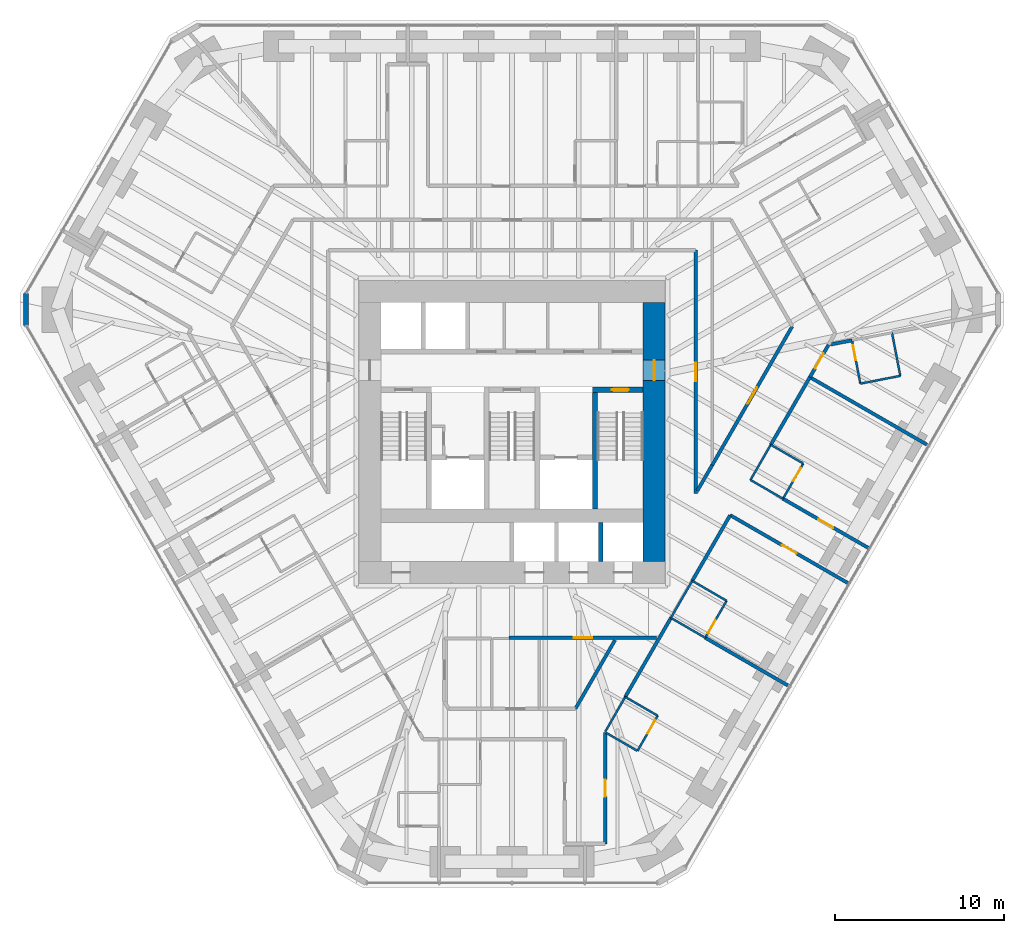
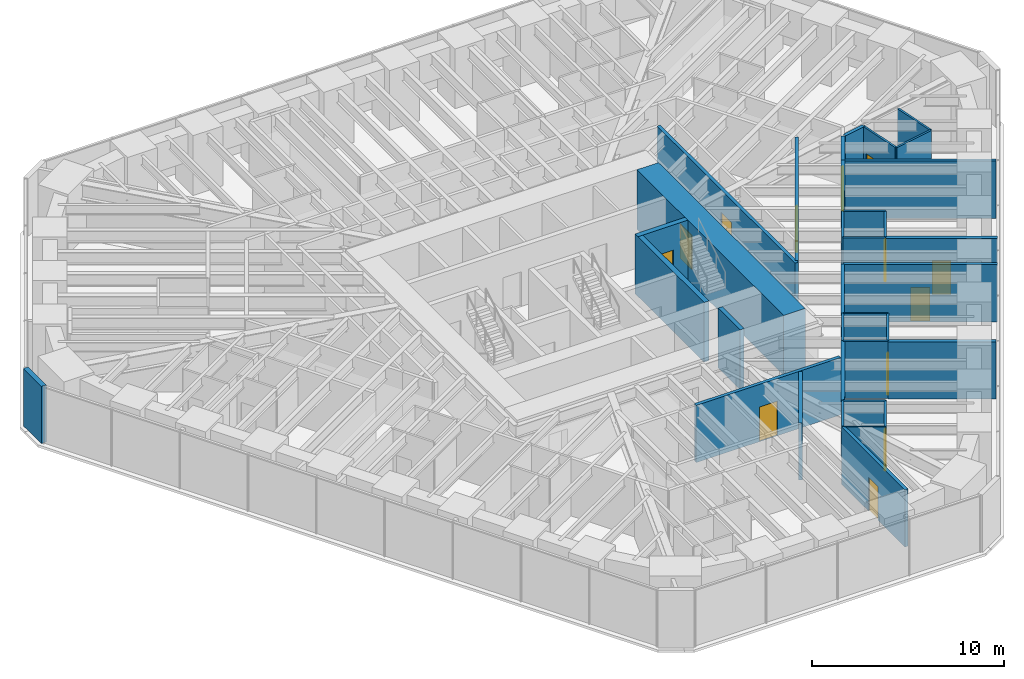
# One storey, part 13 of 17: 35 walls, 13 doors, 13 openings.
"""IFC4 building model written with IfcOpenShell, lengths in metres."""

from ifc_helpers import new_model, si_unit, direction, frame, frame_2d, origin, place, context, subcontext, project, spatial, rectangle, extrude, material, layer, layer_set, type_object, element, fill, save


model = new_model("IFC4")

# Units and contexts
model_context = context("Model", 3, precision=1e-05, world=origin(), true_north=direction((0.0, 1.0)))
body_context = subcontext(model_context, "Body", "Model", "MODEL_VIEW")
ifc_project = project(units=[si_unit("LENGTHUNIT", "METRE"), si_unit("AREAUNIT", "SQUARE_METRE"), si_unit("VOLUMEUNIT", "CUBIC_METRE"), si_unit("PLANEANGLEUNIT", "RADIAN"), si_unit("MASSUNIT", "GRAM", prefix="KILO")], contexts=[model_context])

# Site, building, storey
site_placement = place(None, origin())
site = spatial("IfcSite", under=ifc_project, at=site_placement, CompositionType="ELEMENT")
building_placement = place(site_placement, origin())
building = spatial("IfcBuilding", under=site, at=building_placement, Name="Sandreach Pilgrim Tower", CompositionType="ELEMENT")
storey_placement = place(building_placement, frame((0.0, 0.0, 112.0)))
storey = spatial("IfcBuildingStorey", under=building, at=storey_placement, Name="L27", CompositionType="ELEMENT", Elevation=112.0)

# Walls
ifc_material_1 = material(Name="Moisture-resistant gypsum board on steel studs", Category="steel")
ifc_layer_1 = layer(ifc_material_1, 0.1201171875)
ifc_layer_set_1 = layer_set([ifc_layer_1], Name="Bathroom partition 120")
wall_type_1 = type_object("IfcWallType", Name="Bathroom partition 120", PredefinedType="PARTITIONING", material=ifc_layer_set_1)
wall_1_placement = place(storey_placement, frame((5.510009765625, -19.25, 0.0), z_axis=(0.0, 0.0, 1.0), x_axis=(0.498837591974, 0.866695481028, 0.0)))
element("IfcWall", 1, at=wall_1_placement, inside=storey, type_object=wall_type_1, Name="Bathroom partition L27-095", PredefinedType="PARTITIONING", context=body_context, shape_type="SweptSolid", body=[
    extrude(rectangle(XDim=2.365478515625, YDim=0.1201171875, at=frame_2d((1.1826171875, 0.0))), origin(), (0.0, 0.0, 1.0), 3.639892578125),
])
wall_2_placement = place(storey_placement, frame((5.566162109375, -19.322509765625, 0.0), z_axis=(0.0, 0.0, 1.0), x_axis=(0.865436746432, -0.501018201192, 0.0)))
element("IfcWall", 2, at=wall_2_placement, inside=storey, type_object=wall_type_1, Name="Bathroom partition L27-096", PredefinedType="PARTITIONING", context=body_context, shape_type="SweptSolid", body=[
    extrude(rectangle(XDim=2.13037109375, YDim=0.1201171875, at=frame_2d((1.065185546875, 0.0))), origin(), (0.0, 0.0, 1.0), 3.639892578125),
])

# Wall, opening, door
wall_3_placement = place(storey_placement, frame((7.409912109375, -20.389892578125, 0.0), z_axis=(0.0, 0.0, 1.0), x_axis=(0.499737123639, 0.866177122335, 0.0)))
wall_3 = element("IfcWall", 3, at=wall_3_placement, inside=storey, type_object=wall_type_1, Name="Bathroom partition L27-106", PredefinedType="PARTITIONING", context=body_context, shape_type="SweptSolid", body=[
    extrude(rectangle(XDim=2.401123046875, YDim=0.1201171875, at=frame_2d((1.20068359375, 0.0))), origin(), (0.0, 0.0, 1.0), 3.639892578125),
])
opening_1_placement = place(wall_3_placement, frame((1.201416015625, 0.0, 0.0)))
opening_1 = element("IfcOpeningElement", 4, at=opening_1_placement, cuts=wall_3, Name="Opening D09-09B", PredefinedType="OPENING", context=body_context, shape_type="SweptSolid", body=[
    extrude(rectangle(XDim=0.89990234375, YDim=2.030029296875, at=frame_2d((0.449951171875, 1.01513671875))), frame((0.0, 0.06005859375, 0.0), z_axis=(0.0, -1.0, 0.0), x_axis=(1.0, 0.0, 0.0)), (0.0, 0.0, 1.0), 0.1201171875),
])
ifc_material_2 = material(Name="Timber door, steel frame", Category="steel")
door_type_1 = type_object("IfcDoorType", Name="Bathroom door", OperationType="SINGLE_SWING_LEFT", PredefinedType="DOOR", material=ifc_material_2)
door_1_placement = place(opening_1_placement, origin())
door_1 = element("IfcDoor", 5, at=door_1_placement, inside=storey, type_object=door_type_1, Name="Door 2709B", OperationType="SINGLE_SWING_RIGHT", OverallHeight=2.030029296875, OverallWidth=0.89990234375, PredefinedType="DOOR", context=body_context, shape_type="SweptSolid", body=[
    extrude(rectangle(XDim=0.89990234375, YDim=2.030029296875, at=frame_2d((0.449951171875, 1.01513671875))), frame((0.0, 0.02490234375, 0.0), z_axis=(0.0, -1.0, 0.0), x_axis=(1.0, 0.0, 0.0)), (0.0, 0.0, 1.0), 0.050048828125),
])
fill(opening_1, door_1)

# Walls
wall_4_placement = place(storey_placement, frame((8.610107421875, -18.31005859375, 0.0), z_axis=(0.0, 0.0, 1.0), x_axis=(-0.865732595383, 0.500506816428, 0.0)))
element("IfcWall", 6, at=wall_4_placement, inside=storey, type_object=wall_type_1, Name="Bathroom partition L27-110", PredefinedType="PARTITIONING", context=body_context, shape_type="SweptSolid", body=[
    extrude(rectangle(XDim=2.218017578125, YDim=0.1201171875, at=frame_2d((1.10888671875, 0.0))), origin(), (0.0, 0.0, 1.0), 3.639892578125),
])
wall_5_placement = place(storey_placement, frame((9.38720703125, -12.5283203125, 0.0), z_axis=(0.0, 0.0, 1.0), x_axis=(0.499797743474, 0.866142145158, 0.0)))
element("IfcWall", 7, at=wall_5_placement, inside=storey, type_object=wall_type_1, Name="Bathroom partition L27-111", PredefinedType="PARTITIONING", context=body_context, shape_type="SweptSolid", body=[
    extrude(rectangle(XDim=2.5263671875, YDim=0.1201171875, at=frame_2d((1.26318359375, 0.0))), origin(), (0.0, 0.0, 1.0), 3.639892578125),
])
wall_6_placement = place(storey_placement, frame((9.389892578125, -12.530029296875, 0.0), z_axis=(0.0, 0.0, 1.0), x_axis=(0.865459574701, -0.500978766574, 0.0)))
element("IfcWall", 8, at=wall_6_placement, inside=storey, type_object=wall_type_1, Name="Bathroom partition L27-112", PredefinedType="PARTITIONING", context=body_context, shape_type="SweptSolid", body=[
    extrude(rectangle(XDim=2.343017578125, YDim=0.1201171875, at=frame_2d((1.17138671875, 0.0))), origin(), (0.0, 0.0, 1.0), 3.639892578125),
])

# Wall, opening, door
wall_7_placement = place(storey_placement, frame((11.419921875, -13.699951171875, 0.0), z_axis=(0.0, 0.0, 1.0), x_axis=(0.500424596343, 0.865780124151, 0.0)))
wall_7 = element("IfcWall", 9, at=wall_7_placement, inside=storey, type_object=wall_type_1, Name="Bathroom partition L27-123", PredefinedType="PARTITIONING", context=body_context, shape_type="SweptSolid", body=[
    extrude(rectangle(XDim=2.517822265625, YDim=0.1201171875, at=frame_2d((1.2587890625, 0.0))), origin(), (0.0, 0.0, 1.0), 3.639892578125),
])
opening_2_placement = place(wall_7_placement, frame((0.300048828125, 0.0, 0.0)))
opening_2 = element("IfcOpeningElement", 10, at=opening_2_placement, cuts=wall_7, Name="Opening D09-08B", PredefinedType="OPENING", context=body_context, shape_type="SweptSolid", body=[
    extrude(rectangle(XDim=0.89990234375, YDim=2.030029296875, at=frame_2d((0.449951171875, 1.01513671875))), frame((0.0, 0.06005859375, 0.0), z_axis=(0.0, -1.0, 0.0), x_axis=(1.0, 0.0, 0.0)), (0.0, 0.0, 1.0), 0.1201171875),
])
door_2_placement = place(opening_2_placement, origin())
door_2 = element("IfcDoor", 11, at=door_2_placement, inside=storey, type_object=door_type_1, Name="Door 2708B", OperationType="SINGLE_SWING_LEFT", OverallHeight=2.030029296875, OverallWidth=0.89990234375, PredefinedType="DOOR", context=body_context, shape_type="SweptSolid", body=[
    extrude(rectangle(XDim=0.89990234375, YDim=2.030029296875, at=frame_2d((0.449951171875, 1.01513671875))), frame((0.0, 0.02490234375, 0.0), z_axis=(0.0, -1.0, 0.0), x_axis=(1.0, 0.0, 0.0)), (0.0, 0.0, 1.0), 0.050048828125),
])
fill(opening_2, door_2)

# Walls
wall_8_placement = place(storey_placement, frame((12.679931640625, -11.52001953125, 0.0), z_axis=(0.0, 0.0, 1.0), x_axis=(-0.864539759309, 0.502564428282, 0.0)))
element("IfcWall", 12, at=wall_8_placement, inside=storey, type_object=wall_type_1, Name="Bathroom partition L27-127", PredefinedType="PARTITIONING", context=body_context, shape_type="SweptSolid", body=[
    extrude(rectangle(XDim=2.347900390625, YDim=0.1201171875, at=frame_2d((1.173828125, 0.0))), origin(), (0.0, 0.0, 1.0), 3.639892578125),
])
wall_9_placement = place(storey_placement, frame((14.090087890625, -4.3798828125, 0.0), z_axis=(0.0, 0.0, 1.0), x_axis=(0.499737123639, 0.866177122335, 0.0)))
element("IfcWall", 13, at=wall_9_placement, inside=storey, type_object=wall_type_1, Name="Bathroom partition L27-134", PredefinedType="PARTITIONING", context=body_context, shape_type="SweptSolid", body=[
    extrude(rectangle(XDim=2.401123046875, YDim=0.1201171875, at=frame_2d((1.20068359375, 0.0))), origin(), (0.0, 0.0, 1.0), 3.639892578125),
])
wall_10_placement = place(storey_placement, frame((14.090087890625, -4.3798828125, 0.0), z_axis=(0.0, 0.0, 1.0), x_axis=(0.865705017107, -0.500554515868, 0.0)))
element("IfcWall", 14, at=wall_10_placement, inside=storey, type_object=wall_type_1, Name="Bathroom partition L27-135", PredefinedType="PARTITIONING", context=body_context, shape_type="SweptSolid", body=[
    extrude(rectangle(XDim=2.2177734375, YDim=0.1201171875, at=frame_2d((1.10888671875, 0.0))), origin(), (0.0, 0.0, 1.0), 3.639892578125),
])

# Wall, opening, door
wall_11_placement = place(storey_placement, frame((16.010009765625, -5.489990234375, 0.0), z_axis=(0.0, 0.0, 1.0), x_axis=(0.499693115345, 0.866202511239, 0.0)))
wall_11 = element("IfcWall", 15, at=wall_11_placement, inside=storey, type_object=wall_type_1, Name="Bathroom partition L27-141", PredefinedType="PARTITIONING", context=body_context, shape_type="SweptSolid", body=[
    extrude(rectangle(XDim=2.4013671875, YDim=0.1201171875, at=frame_2d((1.20068359375, 0.0))), origin(), (0.0, 0.0, 1.0), 3.639892578125),
])
opening_3_placement = place(wall_11_placement, frame((1.201416015625, 0.0, 0.0)))
opening_3 = element("IfcOpeningElement", 16, at=opening_3_placement, cuts=wall_11, Name="Opening D09-07B", PredefinedType="OPENING", context=body_context, shape_type="SweptSolid", body=[
    extrude(rectangle(XDim=0.89990234375, YDim=2.030029296875, at=frame_2d((0.449951171875, 1.01513671875))), frame((0.0, 0.06005859375, 0.0), z_axis=(0.0, -1.0, 0.0), x_axis=(1.0, 0.0, 0.0)), (0.0, 0.0, 1.0), 0.1201171875),
])
door_3_placement = place(opening_3_placement, origin())
door_3 = element("IfcDoor", 17, at=door_3_placement, inside=storey, type_object=door_type_1, Name="Door 2707B", OperationType="SINGLE_SWING_RIGHT", OverallHeight=2.030029296875, OverallWidth=0.89990234375, PredefinedType="DOOR", context=body_context, shape_type="SweptSolid", body=[
    extrude(rectangle(XDim=0.89990234375, YDim=2.030029296875, at=frame_2d((0.449951171875, 1.01513671875))), frame((0.0, 0.02490234375, 0.0), z_axis=(0.0, -1.0, 0.0), x_axis=(1.0, 0.0, 0.0)), (0.0, 0.0, 1.0), 0.050048828125),
])
fill(opening_3, door_3)

# Wall
wall_12_placement = place(storey_placement, frame((17.2099609375, -3.409912109375, 0.0), z_axis=(0.0, 0.0, 1.0), x_axis=(-0.86575271903, 0.500472006703, 0.0)))
element("IfcWall", 18, at=wall_12_placement, inside=storey, type_object=wall_type_1, Name="Bathroom partition L27-145", PredefinedType="PARTITIONING", context=body_context, shape_type="SweptSolid", body=[
    extrude(rectangle(XDim=2.217529296875, YDim=0.1201171875, at=frame_2d((1.10888671875, 0.0))), origin(), (0.0, 0.0, 1.0), 3.639892578125),
])

# Wall, opening, door
wall_13_placement = place(storey_placement, frame((20.090087890625, 3.8701171875, 0.0), z_axis=(0.0, 0.0, 1.0), x_axis=(0.187985762814, -0.982171753299, 0.0)))
wall_13 = element("IfcWall", 19, at=wall_13_placement, inside=storey, type_object=wall_type_1, Name="Bathroom partition L27-152", PredefinedType="PARTITIONING", context=body_context, shape_type="SweptSolid", body=[
    extrude(rectangle(XDim=2.6064453125, YDim=0.1201171875, at=frame_2d((1.30322265625, 0.0))), origin(), (0.0, 0.0, 1.0), 3.639892578125),
])
opening_4_placement = place(wall_13_placement, frame((0.300048828125, 0.0, 0.0)))
opening_4 = element("IfcOpeningElement", 20, at=opening_4_placement, cuts=wall_13, Name="Opening D09-06B", PredefinedType="OPENING", context=body_context, shape_type="SweptSolid", body=[
    extrude(rectangle(XDim=0.89990234375, YDim=2.030029296875, at=frame_2d((0.449951171875, 1.01513671875))), frame((0.0, 0.06005859375, 0.0), z_axis=(0.0, -1.0, 0.0), x_axis=(1.0, 0.0, 0.0)), (0.0, 0.0, 1.0), 0.1201171875),
])
door_4_placement = place(opening_4_placement, origin())
door_4 = element("IfcDoor", 21, at=door_4_placement, inside=storey, type_object=door_type_1, Name="Door 2706B", OperationType="SINGLE_SWING_LEFT", OverallHeight=2.030029296875, OverallWidth=0.89990234375, PredefinedType="DOOR", context=body_context, shape_type="SweptSolid", body=[
    extrude(rectangle(XDim=0.89990234375, YDim=2.030029296875, at=frame_2d((0.449951171875, 1.01513671875))), frame((0.0, 0.02490234375, 0.0), z_axis=(0.0, -1.0, 0.0), x_axis=(1.0, 0.0, 0.0)), (0.0, 0.0, 1.0), 0.050048828125),
])
fill(opening_4, door_4)

# Walls
wall_14_placement = place(storey_placement, frame((20.580078125, 1.31005859375, 0.0), z_axis=(0.0, 0.0, 1.0), x_axis=(0.981529676402, 0.191309943135, 0.0)))
element("IfcWall", 22, at=wall_14_placement, inside=storey, type_object=wall_type_1, Name="Bathroom partition L27-155", PredefinedType="PARTITIONING", context=body_context, shape_type="SweptSolid", body=[
    extrude(rectangle(XDim=2.404296875, YDim=0.1201171875, at=frame_2d((1.2021484375, 0.0))), origin(), (0.0, 0.0, 1.0), 3.639892578125),
])
wall_15_placement = place(storey_placement, frame((22.93994140625, 1.77001953125, 0.0), z_axis=(0.0, 0.0, 1.0), x_axis=(-0.188697442844, 0.982035271802, 0.0)))
element("IfcWall", 23, at=wall_15_placement, inside=storey, type_object=wall_type_1, Name="Bathroom partition L27-158", PredefinedType="PARTITIONING", context=body_context, shape_type="SweptSolid", body=[
    extrude(rectangle(XDim=2.5966796875, YDim=0.1201171875, at=frame_2d((1.29833984375, 0.0))), origin(), (0.0, 0.0, 1.0), 3.639892578125),
])
ifc_material_3 = material(Name="Concrete 10000 psi", Category="concrete")
ifc_layer_2 = layer(ifc_material_3, 0.300048828125)
ifc_layer_set_2 = layer_set([ifc_layer_2], Name="Core inner wall 300")
wall_type_2 = type_object("IfcWallType", Name="Core inner wall 300", PredefinedType="SHEAR", material=ifc_layer_set_2)
wall_16_placement = place(storey_placement, frame((4.89990234375, -6.10009765625, 0.0), z_axis=(0.0, 0.0, 1.0), x_axis=(0.0, 1.0, 0.0)))
element("IfcWall", 24, at=wall_16_placement, inside=storey, type_object=wall_type_2, Name="Core wall I3 L27", PredefinedType="SHEAR", context=body_context, shape_type="SweptSolid", body=[
    extrude(rectangle(XDim=7.2001953125, YDim=0.300048828125, at=frame_2d((3.60009765625, 0.0))), origin(), (0.0, 0.0, 1.0), 3.800048828125),
])

# Wall, opening, door
wall_17_placement = place(storey_placement, frame((4.75, 0.949951171875, 0.0), z_axis=(0.0, 0.0, 1.0), x_axis=(1.0, 0.0, 0.0)))
wall_17 = element("IfcWall", 25, at=wall_17_placement, inside=storey, type_object=wall_type_2, Name="Core wall SN2 L27", PredefinedType="SHEAR", context=body_context, shape_type="SweptSolid", body=[
    extrude(rectangle(XDim=3.0, YDim=0.300048828125, at=frame_2d((1.5, 0.0))), origin(), (0.0, 0.0, 1.0), 3.800048828125),
])
opening_5_placement = place(wall_17_placement, frame((1.14990234375, 0.0, 0.0)))
opening_5 = element("IfcOpeningElement", 26, at=opening_5_placement, cuts=wall_17, Name="Opening D10S-ST2", PredefinedType="OPENING", context=body_context, shape_type="SweptSolid", body=[
    extrude(rectangle(XDim=1.0, YDim=2.199951171875, at=frame_2d((0.5, 1.10009765625))), frame((0.0, 0.14990234375, 0.0), z_axis=(0.0, -1.0, 0.0), x_axis=(1.0, 0.0, 0.0)), (0.0, 0.0, 1.0), 0.300048828125),
])
ifc_material_4 = material(Name="Steel door and frame", Category="steel")
door_type_2 = type_object("IfcDoorType", Name="Stair door", OperationType="SINGLE_SWING_LEFT", PredefinedType="DOOR", material=ifc_material_4)
door_5_placement = place(opening_5_placement, origin())
door_5 = element("IfcDoor", 27, at=door_5_placement, inside=storey, type_object=door_type_2, Name="Stair door ST2 L27", OperationType="SINGLE_SWING_RIGHT", OverallHeight=2.199951171875, OverallWidth=1.0, PredefinedType="DOOR", context=body_context, shape_type="SweptSolid", body=[
    extrude(rectangle(XDim=1.0, YDim=2.199951171875, at=frame_2d((0.5, 1.10009765625))), frame((0.0, 0.02490234375, 0.0), z_axis=(0.0, -1.0, 0.0), x_axis=(1.0, 0.0, 0.0)), (0.0, 0.0, 1.0), 0.050048828125),
])
fill(opening_5, door_5)

ifc_material_5 = material(Name="Concrete 10000 psi", Category="concrete")
ifc_layer_3 = layer(ifc_material_5, 1.300048828125)
ifc_layer_set_3 = layer_set([ifc_layer_3], Name="Core wall 1300")
wall_type_3 = type_object("IfcWallType", Name="Core wall 1300", PredefinedType="SHEAR", material=ifc_layer_set_3)
wall_18_placement = place(storey_placement, frame((8.39990234375, -9.199951171875, 0.0), z_axis=(0.0, 0.0, 1.0), x_axis=(0.0, 1.0, 0.0)))
wall_18 = element("IfcWall", 28, at=wall_18_placement, inside=storey, type_object=wall_type_3, Name="Core wall E L27", PredefinedType="SHEAR", context=body_context, shape_type="SweptSolid", body=[
    extrude(rectangle(XDim=15.300048828125, YDim=1.300048828125, at=frame_2d((7.64990234375, 0.0))), origin(), (0.0, 0.0, 1.0), 3.800048828125),
])
opening_6_placement = place(wall_18_placement, frame((10.699951171875, 0.0, 0.0)))
opening_6 = element("IfcOpeningElement", 29, at=opening_6_placement, cuts=wall_18, Name="Opening D12F-E", PredefinedType="OPENING", context=body_context, shape_type="SweptSolid", body=[
    extrude(rectangle(XDim=1.199951171875, YDim=2.199951171875, at=frame_2d((0.60009765625, 1.10009765625))), frame((0.0, 0.64990234375, 0.0), z_axis=(0.0, -1.0, 0.0), x_axis=(1.0, 0.0, 0.0)), (0.0, 0.0, 1.0), 1.300048828125),
])
ifc_material_6 = material(Name="Steel door and frame", Category="steel")
door_type_3 = type_object("IfcDoorType", Name="Fire lobby door", OperationType="SINGLE_SWING_LEFT", PredefinedType="DOOR", material=ifc_material_6)
door_6_placement = place(opening_6_placement, origin())
door_6 = element("IfcDoor", 30, at=door_6_placement, inside=storey, type_object=door_type_3, Name="Fire service lobby door E L27", OperationType="SINGLE_SWING_RIGHT", OverallHeight=2.199951171875, OverallWidth=1.199951171875, PredefinedType="DOOR", context=body_context, shape_type="SweptSolid", body=[
    extrude(rectangle(XDim=1.199951171875, YDim=2.199951171875, at=frame_2d((0.60009765625, 1.10009765625))), frame((0.0, 0.02490234375, 0.0), z_axis=(0.0, -1.0, 0.0), x_axis=(1.0, 0.0, 0.0)), (0.0, 0.0, 1.0), 0.050048828125),
])
fill(opening_6, door_6)

ifc_material_7 = material(Name="Gypsum board on steel studs, two layers each side", Category="steel")
ifc_layer_4 = layer(ifc_material_7, 0.199951171875)
ifc_layer_set_4 = layer_set([ifc_layer_4], Name="Corridor wall 200")
wall_type_4 = type_object("IfcWallType", Name="Corridor wall 200", PredefinedType="PARTITIONING", material=ifc_layer_set_4)
wall_19_placement = place(storey_placement, frame((5.510009765625, -25.8798828125, 0.0), z_axis=(0.0, 0.0, 1.0), x_axis=(0.0, 1.0, 0.0)))
wall_19 = element("IfcWall", 31, at=wall_19_placement, inside=storey, type_object=wall_type_4, Name="Corridor wall L27-094", PredefinedType="PARTITIONING", context=body_context, shape_type="SweptSolid", body=[
    extrude(rectangle(XDim=6.58984375, YDim=0.199951171875, at=frame_2d((3.294921875, 0.0))), origin(), (0.0, 0.0, 1.0), 3.639892578125),
])
opening_7_placement = place(wall_19_placement, frame((2.794921875, 0.0, 0.0)))
opening_7 = element("IfcOpeningElement", 32, at=opening_7_placement, cuts=wall_19, Name="Opening D10-09", PredefinedType="OPENING", context=body_context, shape_type="SweptSolid", body=[
    extrude(rectangle(XDim=1.0, YDim=2.1298828125, at=frame_2d((0.5, 1.06494140625))), frame((0.0, 0.10009765625, 0.0), z_axis=(0.0, -1.0, 0.0), x_axis=(1.0, 0.0, 0.0)), (0.0, 0.0, 1.0), 0.199951171875),
])
ifc_material_8 = material(Name="Steel door and frame", Category="steel")
door_type_4 = type_object("IfcDoorType", Name="Guest room entry door", OperationType="SINGLE_SWING_LEFT", PredefinedType="DOOR", material=ifc_material_8)
door_7_placement = place(opening_7_placement, origin())
door_7 = element("IfcDoor", 33, at=door_7_placement, inside=storey, type_object=door_type_4, Name="Door 2709", OperationType="SINGLE_SWING_LEFT", OverallHeight=2.1298828125, OverallWidth=1.0, PredefinedType="DOOR", context=body_context, shape_type="SweptSolid", body=[
    extrude(rectangle(XDim=1.0, YDim=2.1298828125, at=frame_2d((0.5, 1.06494140625))), frame((0.0, 0.02490234375, 0.0), z_axis=(0.0, -1.0, 0.0), x_axis=(1.0, 0.0, 0.0)), (0.0, 0.0, 1.0), 0.050048828125),
])
fill(opening_7, door_7)

# Walls
wall_20_placement = place(storey_placement, frame((6.08251953125, -13.849609375, 0.0), z_axis=(0.0, 0.0, 1.0), x_axis=(-0.499977643516, -0.866038310922, 0.0)))
element("IfcWall", 34, at=wall_20_placement, inside=storey, type_object=wall_type_4, Name="Corridor wall L27-097", PredefinedType="PARTITIONING", context=body_context, shape_type="SweptSolid", body=[
    extrude(rectangle(XDim=4.665283203125, YDim=0.199951171875, at=frame_2d((2.33251953125, 0.0))), origin(), (0.0, 0.0, 1.0), 3.639892578125),
])
wall_21_placement = place(storey_placement, frame((6.68994140625, -17.199951171875, 0.0), z_axis=(0.0, 0.0, 1.0), x_axis=(0.500524150216, 0.865722573952, 0.0)))
element("IfcWall", 35, at=wall_21_placement, inside=storey, type_object=wall_type_4, Name="Corridor wall L27-102", PredefinedType="PARTITIONING", context=body_context, shape_type="SweptSolid", body=[
    extrude(rectangle(XDim=5.394287109375, YDim=0.199951171875, at=frame_2d((2.697265625, 0.0))), origin(), (0.0, 0.0, 1.0), 3.639892578125),
])

# Wall, opening, door
wall_22_placement = place(storey_placement, frame((8.5380859375, -13.699951171875, 0.0), z_axis=(0.0, 0.0, 1.0), x_axis=(-1.0, 0.0, 0.0)))
wall_22 = element("IfcWall", 36, at=wall_22_placement, inside=storey, type_object=wall_type_4, Name="Corridor wall L27-107", PredefinedType="PARTITIONING", context=body_context, shape_type="SweptSolid", body=[
    extrude(rectangle(XDim=8.7080078125, YDim=0.199951171875, at=frame_2d((4.35400390625, 0.0))), origin(), (0.0, 0.0, 1.0), 3.639892578125),
])
opening_8_placement = place(wall_22_placement, frame((3.80419921875, 0.0, 0.0)))
opening_8 = element("IfcOpeningElement", 37, at=opening_8_placement, cuts=wall_22, Name="Opening D11H-S4", PredefinedType="OPENING", context=body_context, shape_type="SweptSolid", body=[
    extrude(rectangle(XDim=1.10009765625, YDim=2.199951171875, at=frame_2d((0.550048828125, 1.10009765625))), frame((0.0, 0.10009765625, 0.0), z_axis=(0.0, -1.0, 0.0), x_axis=(1.0, 0.0, 0.0)), (0.0, 0.0, 1.0), 0.199951171875),
])
ifc_material_9 = material(Name="Steel door and frame", Category="steel")
door_type_5 = type_object("IfcDoorType", Name="Back of house door", OperationType="SINGLE_SWING_LEFT", PredefinedType="DOOR", material=ifc_material_9)
door_8_placement = place(opening_8_placement, origin())
door_8 = element("IfcDoor", 38, at=door_8_placement, inside=storey, type_object=door_type_5, Name="Door 27S4", OperationType="SINGLE_SWING_LEFT", OverallHeight=2.199951171875, OverallWidth=1.10009765625, PredefinedType="DOOR", context=body_context, shape_type="SweptSolid", body=[
    extrude(rectangle(XDim=1.10009765625, YDim=2.199951171875, at=frame_2d((0.550048828125, 1.10009765625))), frame((0.0, 0.02490234375, 0.0), z_axis=(0.0, -1.0, 0.0), x_axis=(1.0, 0.0, 0.0)), (0.0, 0.0, 1.0), 0.050048828125),
])
fill(opening_8, door_8)

# Wall
wall_23_placement = place(storey_placement, frame((10.64990234375, -10.340087890625, 0.0), z_axis=(0.0, 0.0, 1.0), x_axis=(0.499990639951, 0.866030807744, 0.0)))
element("IfcWall", 39, at=wall_23_placement, inside=storey, type_object=wall_type_4, Name="Corridor wall L27-113", PredefinedType="PARTITIONING", context=body_context, shape_type="SweptSolid", body=[
    extrude(rectangle(XDim=4.46533203125, YDim=0.199951171875, at=frame_2d((2.232666015625, 0.0))), origin(), (0.0, 0.0, 1.0), 3.639892578125),
])

# Wall, opening, door
wall_24_placement = place(storey_placement, frame((10.85009765625, -5.18994140625, 0.0), z_axis=(0.0, 0.0, 1.0), x_axis=(0.0, 1.0, 0.0)))
wall_24 = element("IfcWall", 40, at=wall_24_placement, inside=storey, type_object=wall_type_4, Name="Corridor wall L27-115", PredefinedType="PARTITIONING", context=body_context, shape_type="SweptSolid", body=[
    extrude(rectangle(XDim=14.389892578125, YDim=0.199951171875, at=frame_2d((7.19482421875, 0.0))), origin(), (0.0, 0.0, 1.0), 3.639892578125),
])
opening_9_placement = place(wall_24_placement, frame((6.64501953125, 0.0, 0.0)))
opening_9 = element("IfcOpeningElement", 41, at=opening_9_placement, cuts=wall_24, Name="Opening D11H-M06", PredefinedType="OPENING", context=body_context, shape_type="SweptSolid", body=[
    extrude(rectangle(XDim=1.10009765625, YDim=2.199951171875, at=frame_2d((0.550048828125, 1.10009765625))), frame((0.0, 0.10009765625, 0.0), z_axis=(0.0, -1.0, 0.0), x_axis=(1.0, 0.0, 0.0)), (0.0, 0.0, 1.0), 0.199951171875),
])
door_9_placement = place(opening_9_placement, origin())
door_9 = element("IfcDoor", 42, at=door_9_placement, inside=storey, type_object=door_type_5, Name="Door 27M06", OperationType="SINGLE_SWING_LEFT", OverallHeight=2.199951171875, OverallWidth=1.10009765625, PredefinedType="DOOR", context=body_context, shape_type="SweptSolid", body=[
    extrude(rectangle(XDim=1.10009765625, YDim=2.199951171875, at=frame_2d((0.550048828125, 1.10009765625))), frame((0.0, 0.02490234375, 0.0), z_axis=(0.0, -1.0, 0.0), x_axis=(1.0, 0.0, 0.0)), (0.0, 0.0, 1.0), 0.050048828125),
])
fill(opening_9, door_9)

# Wall
wall_25_placement = place(storey_placement, frame((11.830078125, -3.5, 0.0), z_axis=(0.0, 0.0, 1.0), x_axis=(-0.501720167394, -0.865029984237, 0.0)))
element("IfcWall", 43, at=wall_25_placement, inside=storey, type_object=wall_type_4, Name="Corridor wall L27-124", PredefinedType="PARTITIONING", context=body_context, shape_type="SweptSolid", body=[
    extrude(rectangle(XDim=1.758544921875, YDim=0.199951171875, at=frame_2d((0.87939453125, 0.0))), origin(), (0.0, 0.0, 1.0), 3.639892578125),
])

# Wall, opening, door
wall_26_placement = place(storey_placement, frame((12.889892578125, -6.4599609375, 0.0), z_axis=(0.0, 0.0, 1.0), x_axis=(0.866181559118, -0.499729433437, 0.0)))
wall_26 = element("IfcWall", 44, at=wall_26_placement, inside=storey, type_object=wall_type_4, Name="Corridor wall L27-128", PredefinedType="PARTITIONING", context=body_context, shape_type="SweptSolid", body=[
    extrude(rectangle(XDim=8.07470703125, YDim=0.199951171875, at=frame_2d((4.037353515625, 0.0))), origin(), (0.0, 0.0, 1.0), 3.639892578125),
])
opening_10_placement = place(wall_26_placement, frame((3.537353515625, 0.0, 0.0)))
opening_10 = element("IfcOpeningElement", 45, at=opening_10_placement, cuts=wall_26, Name="Opening D10-08", PredefinedType="OPENING", context=body_context, shape_type="SweptSolid", body=[
    extrude(rectangle(XDim=1.0, YDim=2.1298828125, at=frame_2d((0.5, 1.06494140625))), frame((0.0, 0.10009765625, 0.0), z_axis=(0.0, -1.0, 0.0), x_axis=(1.0, 0.0, 0.0)), (0.0, 0.0, 1.0), 0.199951171875),
])
door_10_placement = place(opening_10_placement, origin())
door_10 = element("IfcDoor", 46, at=door_10_placement, inside=storey, type_object=door_type_4, Name="Door 2708", OperationType="SINGLE_SWING_LEFT", OverallHeight=2.1298828125, OverallWidth=1.0, PredefinedType="DOOR", context=body_context, shape_type="SweptSolid", body=[
    extrude(rectangle(XDim=1.0, YDim=2.1298828125, at=frame_2d((0.5, 1.06494140625))), frame((0.0, 0.02490234375, 0.0), z_axis=(0.0, -1.0, 0.0), x_axis=(1.0, 0.0, 0.0)), (0.0, 0.0, 1.0), 0.050048828125),
])
fill(opening_10, door_10)

# Wall
wall_27_placement = place(storey_placement, frame((15.2900390625, -2.300048828125, 0.0), z_axis=(0.0, 0.0, 1.0), x_axis=(0.501046707413, 0.865420242998, 0.0)))
element("IfcWall", 47, at=wall_27_placement, inside=storey, type_object=wall_type_4, Name="Corridor wall L27-138", PredefinedType="PARTITIONING", context=body_context, shape_type="SweptSolid", body=[
    extrude(rectangle(XDim=4.6103515625, YDim=0.199951171875, at=frame_2d((2.30517578125, 0.0))), origin(), (0.0, 0.0, 1.0), 3.639892578125),
])

# Wall, opening, door
wall_28_placement = place(storey_placement, frame((16.010009765625, -5.489990234375, 0.0), z_axis=(0.0, 0.0, 1.0), x_axis=(0.866351401603, -0.499434929635, 0.0)))
wall_28 = element("IfcWall", 48, at=wall_28_placement, inside=storey, type_object=wall_type_4, Name="Corridor wall L27-142", PredefinedType="PARTITIONING", context=body_context, shape_type="SweptSolid", body=[
    extrude(rectangle(XDim=5.856689453125, YDim=0.199951171875, at=frame_2d((2.92822265625, 0.0))), origin(), (0.0, 0.0, 1.0), 3.639892578125),
])
opening_11_placement = place(wall_28_placement, frame((2.428466796875, 0.0, 0.0)))
opening_11 = element("IfcOpeningElement", 49, at=opening_11_placement, cuts=wall_28, Name="Opening D10-07", PredefinedType="OPENING", context=body_context, shape_type="SweptSolid", body=[
    extrude(rectangle(XDim=1.0, YDim=2.1298828125, at=frame_2d((0.5, 1.06494140625))), frame((0.0, 0.10009765625, 0.0), z_axis=(0.0, -1.0, 0.0), x_axis=(1.0, 0.0, 0.0)), (0.0, 0.0, 1.0), 0.199951171875),
])
door_11_placement = place(opening_11_placement, origin())
door_11 = element("IfcDoor", 50, at=door_11_placement, inside=storey, type_object=door_type_4, Name="Door 2707", OperationType="SINGLE_SWING_LEFT", OverallHeight=2.1298828125, OverallWidth=1.0, PredefinedType="DOOR", context=body_context, shape_type="SweptSolid", body=[
    extrude(rectangle(XDim=1.0, YDim=2.1298828125, at=frame_2d((0.5, 1.06494140625))), frame((0.0, 0.02490234375, 0.0), z_axis=(0.0, -1.0, 0.0), x_axis=(1.0, 0.0, 0.0)), (0.0, 0.0, 1.0), 0.050048828125),
])
fill(opening_11, door_11)

wall_29_placement = place(storey_placement, frame((16.56005859375, 4.699951171875, 0.0), z_axis=(0.0, 0.0, 1.0), x_axis=(-0.499662169849, -0.866220362276, 0.0)))
wall_29 = element("IfcWall", 51, at=wall_29_placement, inside=storey, type_object=wall_type_4, Name="Corridor wall L27-143", PredefinedType="PARTITIONING", context=body_context, shape_type="SweptSolid", body=[
    extrude(rectangle(XDim=9.46630859375, YDim=0.199951171875, at=frame_2d((4.733154296875, 0.0))), origin(), (0.0, 0.0, 1.0), 3.639892578125),
])
opening_12_placement = place(wall_29_placement, frame((4.18310546875, 0.0, 0.0)))
opening_12 = element("IfcOpeningElement", 52, at=opening_12_placement, cuts=wall_29, Name="Opening D11H-M07", PredefinedType="OPENING", context=body_context, shape_type="SweptSolid", body=[
    extrude(rectangle(XDim=1.10009765625, YDim=2.199951171875, at=frame_2d((0.550048828125, 1.10009765625))), frame((0.0, 0.10009765625, 0.0), z_axis=(0.0, -1.0, 0.0), x_axis=(1.0, 0.0, 0.0)), (0.0, 0.0, 1.0), 0.199951171875),
])
door_12_placement = place(opening_12_placement, origin())
door_12 = element("IfcDoor", 53, at=door_12_placement, inside=storey, type_object=door_type_5, Name="Door 27M07", OperationType="SINGLE_SWING_LEFT", OverallHeight=2.199951171875, OverallWidth=1.10009765625, PredefinedType="DOOR", context=body_context, shape_type="SweptSolid", body=[
    extrude(rectangle(XDim=1.10009765625, YDim=2.199951171875, at=frame_2d((0.550048828125, 1.10009765625))), frame((0.0, 0.02490234375, 0.0), z_axis=(0.0, -1.0, 0.0), x_axis=(1.0, 0.0, 0.0)), (0.0, 0.0, 1.0), 0.050048828125),
])
fill(opening_12, door_12)

wall_30_placement = place(storey_placement, frame((17.60009765625, 1.68994140625, 0.0), z_axis=(0.0, 0.0, 1.0), x_axis=(0.498987132006, 0.866609394187, 0.0)))
wall_30 = element("IfcWall", 54, at=wall_30_placement, inside=storey, type_object=wall_type_4, Name="Corridor wall L27-146", PredefinedType="PARTITIONING", context=body_context, shape_type="SweptSolid", body=[
    extrude(rectangle(XDim=2.2041015625, YDim=0.199951171875, at=frame_2d((1.10205078125, 0.0))), origin(), (0.0, 0.0, 1.0), 3.639892578125),
])
opening_13_placement = place(wall_30_placement, frame((0.60205078125, 0.0, 0.0)))
opening_13 = element("IfcOpeningElement", 55, at=opening_13_placement, cuts=wall_30, Name="Opening D10-06", PredefinedType="OPENING", context=body_context, shape_type="SweptSolid", body=[
    extrude(rectangle(XDim=1.0, YDim=2.1298828125, at=frame_2d((0.5, 1.06494140625))), frame((0.0, 0.10009765625, 0.0), z_axis=(0.0, -1.0, 0.0), x_axis=(1.0, 0.0, 0.0)), (0.0, 0.0, 1.0), 0.199951171875),
])
door_13_placement = place(opening_13_placement, origin())
door_13 = element("IfcDoor", 56, at=door_13_placement, inside=storey, type_object=door_type_4, Name="Door 2706", OperationType="SINGLE_SWING_LEFT", OverallHeight=2.1298828125, OverallWidth=1.0, PredefinedType="DOOR", context=body_context, shape_type="SweptSolid", body=[
    extrude(rectangle(XDim=1.0, YDim=2.1298828125, at=frame_2d((0.5, 1.06494140625))), frame((0.0, 0.02490234375, 0.0), z_axis=(0.0, -1.0, 0.0), x_axis=(1.0, 0.0, 0.0)), (0.0, 0.0, 1.0), 0.050048828125),
])
fill(opening_13, door_13)

# Walls
ifc_material_10 = material(Name="Double steel stud acoustic wall, gypsum board", Category="steel")
ifc_layer_5 = layer(ifc_material_10, 0.199951171875)
ifc_layer_set_5 = layer_set([ifc_layer_5], Name="Party wall 200")
wall_type_5 = type_object("IfcWallType", Name="Party wall 200", PredefinedType="PARTITIONING", material=ifc_layer_set_5)
wall_31_placement = place(storey_placement, frame((11.417724609375, -13.703857421875, 0.0), z_axis=(0.0, 0.0, 1.0), x_axis=(0.866055675731, -0.499947563785, 0.0)))
element("IfcWall", 57, at=wall_31_placement, inside=storey, type_object=wall_type_5, Name="Party wall L27-122", PredefinedType="PARTITIONING", context=body_context, shape_type="SweptSolid", body=[
    extrude(rectangle(XDim=5.6328125, YDim=0.199951171875, at=frame_2d((2.81640625, 0.0))), origin(), (0.0, 0.0, 1.0), 3.639892578125),
])
wall_32_placement = place(storey_placement, frame((18.807861328125, 3.62109375, 0.0), z_axis=(0.0, 0.0, 1.0), x_axis=(0.981658166981, 0.190649529764, 0.0)))
element("IfcWall", 58, at=wall_32_placement, inside=storey, type_object=wall_type_5, Name="Party wall L27-149", PredefinedType="PARTITIONING", context=body_context, shape_type="SweptSolid", body=[
    extrude(rectangle(XDim=1.30615234375, YDim=0.199951171875, at=frame_2d((0.653076171875, 0.0))), origin(), (0.0, 0.0, 1.0), 3.639892578125),
])
wall_33_placement = place(storey_placement, frame((24.506103515625, -2.2900390625, 0.0), z_axis=(0.0, 0.0, 1.0), x_axis=(-0.866414224119, 0.499325937884, 0.0)))
element("IfcWall", 59, at=wall_33_placement, inside=storey, type_object=wall_type_5, Name="Party wall L27-159", PredefinedType="PARTITIONING", context=body_context, shape_type="SweptSolid", body=[
    extrude(rectangle(XDim=7.9609375, YDim=0.199951171875, at=frame_2d((3.98046875, 0.0))), origin(), (0.0, 0.0, 1.0), 3.639892578125),
])
ifc_material_11 = material(Name="Gypsum shaft wall on steel studs, two layers of shaft liner board", Category="steel")
ifc_layer_6 = layer(ifc_material_11, 0.25)
ifc_layer_set_6 = layer_set([ifc_layer_6], Name="Shaft partition 250")
wall_type_6 = type_object("IfcWallType", Name="Shaft partition 250", PredefinedType="PARTITIONING", material=ifc_layer_set_6)
wall_34_placement = place(storey_placement, frame((5.25, -9.199951171875, 0.0), z_axis=(0.0, 0.0, 1.0), x_axis=(0.0, 1.0, 0.0)))
element("IfcWall", 60, at=wall_34_placement, inside=storey, type_object=wall_type_6, Name="Shaft partition XS4 L27", PredefinedType="PARTITIONING", context=body_context, shape_type="SweptSolid", body=[
    extrude(rectangle(XDim=2.300048828125, YDim=0.25, at=frame_2d((1.14990234375, 0.0))), origin(), (0.0, 0.0, 1.0), 3.800048828125),
])
ifc_material_12 = material(Name="Terracotta rainscreen on concrete", Category="masonry")
ifc_layer_7 = layer(ifc_material_12, 0.300048828125)
ifc_layer_set_7 = layer_set([ifc_layer_7], Name="Terracotta chamfer pier")
wall_type_7 = type_object("IfcWallType", Name="Terracotta chamfer pier", PredefinedType="SOLIDWALL", material=ifc_layer_set_7)
wall_35_placement = place(storey_placement, frame((-28.720947265625, 4.758544921875, 0.0), z_axis=(0.0, 0.0, 1.0), x_axis=(0.0, 1.0, 0.0)))
element("IfcWall", 61, at=wall_35_placement, inside=storey, type_object=wall_type_7, Name="Chamfer pier L27 SW", PredefinedType="SOLIDWALL", context=body_context, shape_type="SweptSolid", body=[
    extrude(rectangle(XDim=1.8798828125, YDim=0.300048828125, at=frame_2d((0.93994140625, 0.0))), origin(), (0.0, 0.0, 1.0), 3.639892578125),
])

save(model, "model.ifc")
